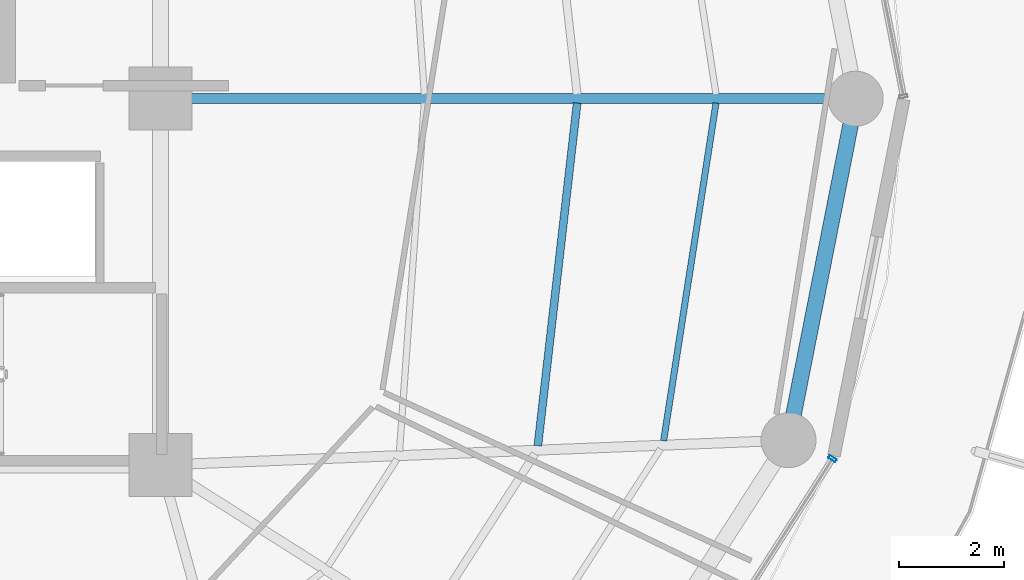
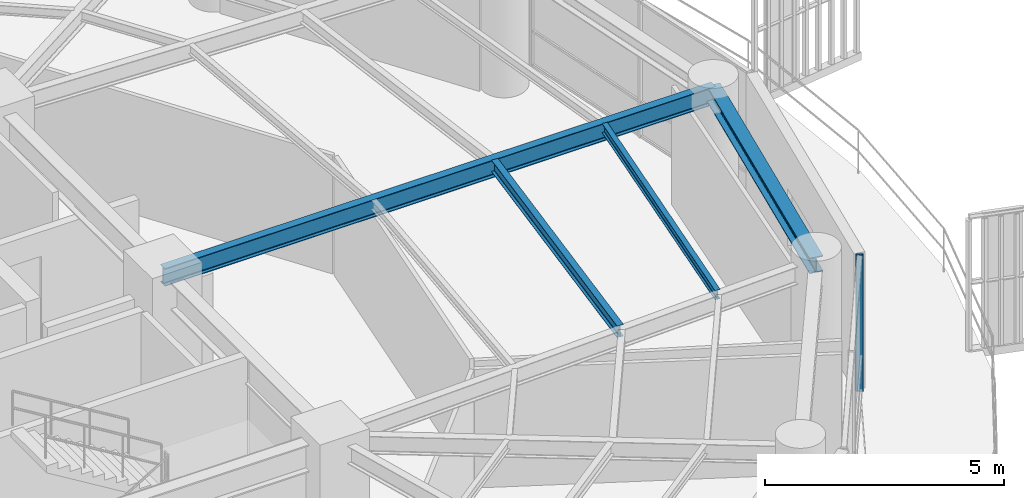
# One storey, part 13 of 30: 4 beams, 1 member, 1 element without a shape of its own.
"""IFC4 building model written with IfcOpenShell, lengths in metres."""

from ifc_helpers import new_model, si_unit, direction, frame, origin, origin_2d, place, context, subcontext, project, spatial, hollow_rectangle, i_section, extrude, material, layer, layer_set, material_profile, profile_set, type_object, element, aggregate, save


model = new_model("IFC4")

# Units and contexts
model_context = context("Model", 3, precision=1e-05, world=origin(), true_north=direction((0.0, 1.0)))
body_context = subcontext(model_context, "Body", "Model", "MODEL_VIEW")
ifc_project = project(units=[si_unit("LENGTHUNIT", "METRE"), si_unit("AREAUNIT", "SQUARE_METRE"), si_unit("VOLUMEUNIT", "CUBIC_METRE"), si_unit("PLANEANGLEUNIT", "RADIAN"), si_unit("MASSUNIT", "GRAM", prefix="KILO")], contexts=[model_context])

# Site, building, storey
site_placement = place(None, origin())
site = spatial("IfcSite", under=ifc_project, at=site_placement, CompositionType="ELEMENT")
building_placement = place(site_placement, origin())
building = spatial("IfcBuilding", under=site, at=building_placement, Name="Kelanora Arch Commons", CompositionType="ELEMENT")
storey_placement = place(building_placement, frame((0.0, 0.0, 211.949951171875)))
storey = spatial("IfcBuildingStorey", under=building, at=storey_placement, Name="L54", CompositionType="ELEMENT", Elevation=211.949951171875)

# Beams
ifc_material_1 = material(Name="Steel S355", Category="steel")
ifc_material_profile_1 = material_profile(ifc_material_1, i_section(OverallWidth=0.14990234375, OverallDepth=0.300048828125, WebThickness=0.007080078125, FlangeThickness=0.0107421875, FilletRadius=0.014892578125, at=origin_2d()), Name="IPE300")
ifc_profile_set_1 = profile_set([ifc_material_profile_1], Name="Steel S355")
beam_type_1 = type_object("IfcBeamType", Name="BM-JST-01", PredefinedType="JOIST", material=ifc_profile_set_1)
beam_1_placement = place(storey_placement, frame((89.207763671875, 51.368896484375, 3.340087890625), z_axis=(0.113891408177, 0.993493204377, 0.0), x_axis=(-0.993493204377, 0.113891408177, 0.0)))
element("IfcBeam", 1, at=beam_1_placement, inside=storey, type_object=beam_type_1, Name="Secondary Chord Joist BJB-34 L54", PredefinedType="JOIST", context=body_context, shape_type="SweptSolid", body=[
    extrude(i_section(OverallWidth=0.14990234375, OverallDepth=0.300048828125, WebThickness=0.007080078125, FlangeThickness=0.0107421875, FilletRadius=0.014892578125, at=origin_2d()), origin(), (0.0, 0.0, 1.0), 6.589599609375),
])
ifc_material_profile_2 = material_profile(ifc_material_1, i_section(OverallWidth=0.1201171875, OverallDepth=0.239990234375, WebThickness=0.006103515625, FlangeThickness=0.009765625, FilletRadius=0.014892578125, at=origin_2d()), Name="IPE240")
ifc_profile_set_2 = profile_set([ifc_material_profile_2], Name="Steel S355")
beam_type_2 = type_object("IfcBeamType", Name="BM-JST-02", PredefinedType="JOIST", material=ifc_profile_set_2)
beam_2_placement = place(storey_placement, frame((91.6103515625, 51.46337890625, 3.3701171875), z_axis=(0.153256756152, 0.988186402808, 0.0), x_axis=(-0.988186402808, 0.153256756152, 0.0)))
element("IfcBeam", 2, at=beam_2_placement, inside=storey, type_object=beam_type_2, Name="Secondary Chord Joist BJC-34 L54", PredefinedType="JOIST", context=body_context, shape_type="SweptSolid", body=[
    extrude(i_section(OverallWidth=0.1201171875, OverallDepth=0.239990234375, WebThickness=0.006103515625, FlangeThickness=0.009765625, FilletRadius=0.014892578125, at=origin_2d()), origin(), (0.0, 0.0, 1.0), 6.52978515625),
])
ifc_material_profile_3 = material_profile(ifc_material_1, i_section(OverallWidth=0.18994140625, OverallDepth=0.449951171875, WebThickness=0.009521484375, FlangeThickness=0.0146484375, FilletRadius=0.02099609375, at=origin_2d()), Name="IPE450")
ifc_profile_set_3 = profile_set([ifc_material_profile_3], Name="Steel S355")
beam_type_3 = type_object("IfcBeamType", Name="BM-RAD-Z4", PredefinedType="BEAM", material=ifc_profile_set_3)
beam_3_placement = place(storey_placement, frame((82.0, 58.0, 3.26513671875), z_axis=(1.0, 0.0, 0.0), x_axis=(0.0, 1.0, 0.0)))
element("IfcBeam", 3, at=beam_3_placement, inside=storey, type_object=beam_type_3, Name="Radial Floor Girder BR-00 L54", PredefinedType="BEAM", context=body_context, shape_type="SweptSolid", body=[
    extrude(i_section(OverallWidth=0.18994140625, OverallDepth=0.449951171875, WebThickness=0.009521484375, FlangeThickness=0.0146484375, FilletRadius=0.02099609375, at=origin_2d()), origin(), (0.0, 0.0, 1.0), 13.280029296875),
])
ifc_material_profile_4 = material_profile(ifc_material_1, i_section(OverallWidth=0.300048828125, OverallDepth=0.39990234375, WebThickness=0.013427734375, FlangeThickness=0.02392578125, FilletRadius=0.027099609375, at=origin_2d()), Name="HEB400")
ifc_profile_set_4 = profile_set([ifc_material_profile_4], Name="Steel S355")
beam_type_4 = type_object("IfcBeamType", Name="BM-SPN-Z4", PredefinedType="SPANDREL", material=ifc_profile_set_4)
beam_4_placement = place(storey_placement, frame((93.99658203125, 51.474365234375, 3.2900390625), z_axis=(0.192980724826, 0.981202547819, 0.0), x_axis=(-0.981202547819, 0.192980724826, 0.0)))
element("IfcBeam", 4, at=beam_4_placement, inside=storey, type_object=beam_type_4, Name="Perimeter Spandrel Beam BS-34 L54", PredefinedType="SPANDREL", context=body_context, shape_type="SweptSolid", body=[
    extrude(i_section(OverallWidth=0.300048828125, OverallDepth=0.39990234375, WebThickness=0.013427734375, FlangeThickness=0.02392578125, FilletRadius=0.027099609375, at=origin_2d()), origin(), (0.0, 0.0, 1.0), 6.650634765625),
])

# Curtain wall, member
ifc_material_2 = material(Name="Terracotta ceramic-fritted low-E glass and aluminium", Category="masonry")
ifc_layer = layer(ifc_material_2, 0.175048828125)
ifc_layer_set = layer_set([ifc_layer], Name="Terracotta ceramic-fritted low-E glass and aluminium")
curtain_wall_type = type_object("IfcCurtainWallType", Name="CW-SYS-02", PredefinedType="NOTDEFINED", material=ifc_layer_set)
curtain_wall_placement = place(storey_placement, origin())
curtain_wall = element("IfcCurtainWall", 5, at=curtain_wall_placement, inside=storey, type_object=curtain_wall_type, Name="Unitised Curtain Wall L54-B16", PredefinedType="NOTDEFINED")
ifc_material_3 = material(Name="Powder-coated aluminium terracotta", Category="masonry")
ifc_material_profile_5 = material_profile(ifc_material_3, hollow_rectangle(XDim=0.159912109375, YDim=0.06005859375, WallThickness=0.0048828125, InnerFilletRadius=0.0048828125, OuterFilletRadius=0.010009765625, at=origin_2d()), Name="CWM160x60")
ifc_profile_set_5 = profile_set([ifc_material_profile_5], Name="Powder-coated aluminium terracotta")
member_type = type_object("IfcMemberType", Name="CWM-STD", PredefinedType="MULLION", material=ifc_profile_set_5)
member_placement = place(storey_placement, frame((94.8369140625, 51.121826171875, 0.0), z_axis=(0.0, 0.0, 1.0), x_axis=(-0.84194757539, 0.539559338994, 0.0)))
member = element("IfcMember", 6, at=member_placement, type_object=member_type, Name="CW-02 mullion 3", PredefinedType="MULLION", context=body_context, shape_type="SweptSolid", body=[
    extrude(hollow_rectangle(XDim=0.159912109375, YDim=0.06005859375, WallThickness=0.0048828125, InnerFilletRadius=0.0048828125, OuterFilletRadius=0.010009765625, at=origin_2d()), origin(), (0.0, 0.0, 1.0), 3.47509765625),
])
aggregate(curtain_wall, [member])

save(model, "model.ifc")
